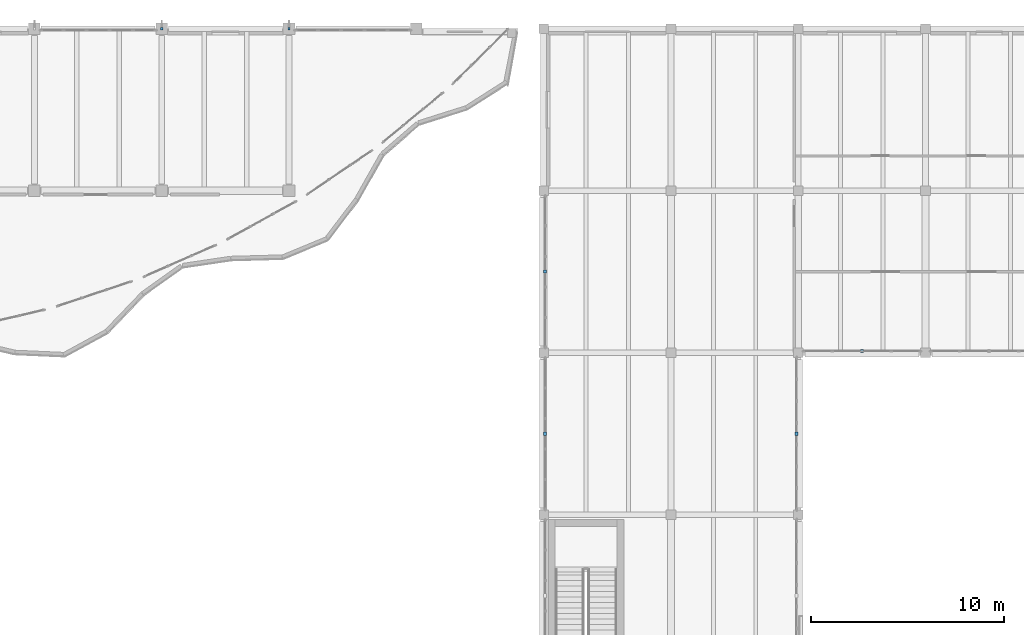
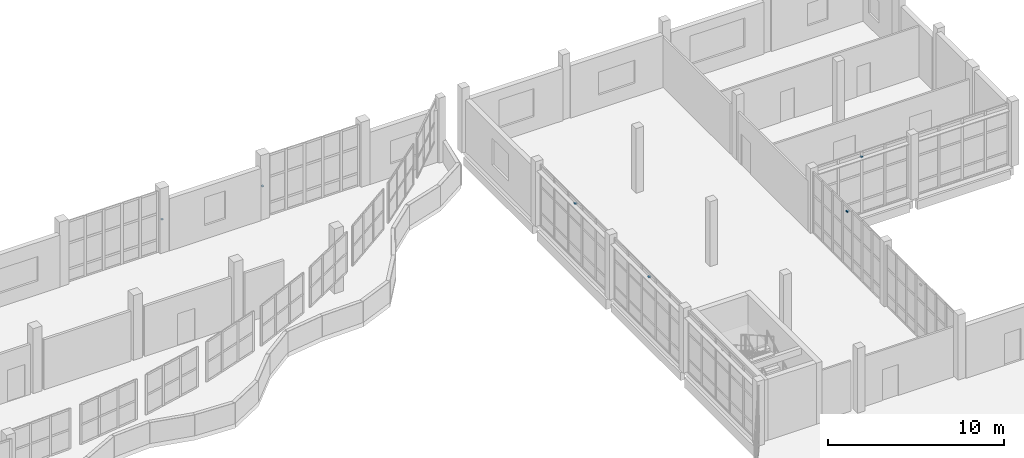
# One storey, part 63 of 76: 6 discrete accessories.
"""IFC4 building model written with IfcOpenShell, lengths in metres."""

import ifcopenshell
import ifcopenshell.guid

model = None  # the IFC model being written
_history = None  # IfcOwnerHistory: only IFC2X3 demands one
_inside = {}  # id of a spatial element -> (the spatial element, [elements in it])
_under = {}  # id of a project, library or spatial element -> (it, [spatial elements below it])
_declared = {}  # id of a project -> (the project, [libraries it declares])
_typed = {}  # id of a type object -> (the type object, [elements of that type])
_made_of = {}  # id of a material, layer set ... -> (it, [elements and type objects made of it])


def new_model(schema):
    """Start an empty IFC model of exactly this schema.

    Asked for "IFC4X3", IfcOpenShell would pick the latest addendum, in which some entities
    have other attributes; the version numbers below select the first issue.
    IFC2X3 requires an IfcOwnerHistory on every rooted entity: one is made here for all.
    """
    global model, _history
    if schema == "IFC4X3":
        model = ifcopenshell.file(schema_version=(4, 3, 0, 0))
    else:
        model = ifcopenshell.file(schema=schema)
    _inside.clear()
    _under.clear()
    _declared.clear()
    _typed.clear()
    _made_of.clear()
    _history = None
    if model.schema == "IFC2X3":
        org = make("IfcOrganization", Name="unknown")
        user = make(
            "IfcPersonAndOrganization",
            ThePerson=make("IfcPerson", FamilyName="unknown"),
            TheOrganization=org,
        )
        app = make(
            "IfcApplication",
            ApplicationDeveloper=org,
            Version="unknown",
            ApplicationFullName="unknown",
            ApplicationIdentifier="unknown",
        )
        _history = make(
            "IfcOwnerHistory",
            OwningUser=user,
            OwningApplication=app,
            ChangeAction="ADDED",
            CreationDate=0,
        )
    return model


def make(cls, **values):
    """One entity of the class cls with the attributes given. An attribute that is None is left unset."""
    return model.create_entity(
        cls, **{name: value for name, value in values.items() if value is not None}
    )


def rooted(cls, **values):
    """An entity with a GlobalId (a new one), such as an element, a storey or a relation."""
    return make(cls, GlobalId=ifcopenshell.guid.new(), OwnerHistory=_history, **values)


def si_unit(unit_type, name, prefix=None):
    """IfcSIUnit, for example si_unit("LENGTHUNIT", "METRE", prefix="MILLI")."""
    return make("IfcSIUnit", UnitType=unit_type, Prefix=prefix, Name=name)


def assignment(units):
    """IfcUnitAssignment: the units of a project."""
    return None if units is None else make("IfcUnitAssignment", Units=units)


def point(xyz):
    """IfcCartesianPoint."""
    return None if xyz is None else make("IfcCartesianPoint", Coordinates=xyz)


def direction(xyz):
    """IfcDirection."""
    return None if xyz is None else make("IfcDirection", DirectionRatios=xyz)


def frame(location, z_axis=None, x_axis=None):
    """IfcAxis2Placement3D, a coordinate frame: its origin and axes. An axis left out is left unset."""
    return make(
        "IfcAxis2Placement3D",
        Location=point(location),
        Axis=direction(z_axis),
        RefDirection=direction(x_axis),
    )


def frame_2d(location, x_axis=None):
    """IfcAxis2Placement2D, a coordinate frame in the plane: its origin and x axis."""
    return make(
        "IfcAxis2Placement2D", Location=point(location), RefDirection=direction(x_axis)
    )


def origin():
    """The frame at (0, 0, 0) with its axes left unset."""
    return frame((0.0, 0.0, 0.0))


def origin_2d():
    """The frame at (0, 0) in the plane with its x axis left unset."""
    return frame_2d((0.0, 0.0))


def place(relative_to, where):
    """IfcLocalPlacement: puts the frame where relative to a parent placement (None: the world)."""
    return make(
        "IfcLocalPlacement", PlacementRelTo=relative_to, RelativePlacement=where
    )


def context(
    kind, dimensions, precision=None, world=None, true_north=None, identifier=None
):
    """IfcGeometricRepresentationContext, for example the 3D "Model" context."""
    return make(
        "IfcGeometricRepresentationContext",
        ContextIdentifier=identifier,
        ContextType=kind,
        CoordinateSpaceDimension=dimensions,
        Precision=precision,
        WorldCoordinateSystem=world,
        TrueNorth=true_north,
    )


def subcontext(parent, identifier, kind, view, scale=None):
    """IfcGeometricRepresentationSubContext, for example "Body" below "Model"."""
    return make(
        "IfcGeometricRepresentationSubContext",
        ContextIdentifier=identifier,
        ContextType=kind,
        ParentContext=parent,
        TargetScale=scale,
        TargetView=view,
    )


def project(units=None, contexts=None):
    """IfcProject with its units and contexts."""
    return rooted(
        "IfcProject",
        Name="project",
        RepresentationContexts=contexts,
        UnitsInContext=assignment(units),
    )


def spatial(cls, under=None, at=None, **own):
    """A site, building, storey or space (cls), placed at a placement, below another one or the project."""
    s = rooted(cls, ObjectPlacement=at, **own)
    if under is not None:
        _under.setdefault(under.id(), (under, []))[1].append(s)
    return s


def profile(cls, at=None, kind="AREA", **sizes):
    """A parametric profile (cls). Its sizes go by their IFC names, for example OverallWidth=200.0."""
    return make(cls, ProfileType=kind, Position=at, **sizes)


def rectangle(**sizes):
    """IfcRectangleProfileDef."""
    return profile("IfcRectangleProfileDef", **sizes)


def extrude(swept, where, along, depth):
    """IfcExtrudedAreaSolid: the profile swept, set in the frame where, extruded along a direction by depth."""
    return make(
        "IfcExtrudedAreaSolid",
        SweptArea=swept,
        Position=where,
        ExtrudedDirection=direction(along),
        Depth=depth,
    )


def shape(context_of_items, identifier, shape_type, items):
    """IfcShapeRepresentation: the items that make up one representation, for example the "Body"."""
    return make(
        "IfcShapeRepresentation",
        ContextOfItems=context_of_items,
        RepresentationIdentifier=identifier,
        RepresentationType=shape_type,
        Items=items,
    )


def material(Name=None, Category=None):
    """IfcMaterial."""
    return make("IfcMaterial", Name=Name, Category=Category)


def layer(
    of_material, thickness, ventilated=None, Name=None, Category=None, Priority=None
):
    """IfcMaterialLayer: one layer of a wall or slab, of a material (None: an air gap)."""
    return make(
        "IfcMaterialLayer",
        Material=of_material,
        LayerThickness=thickness,
        IsVentilated=ventilated,
        Name=Name,
        Category=Category,
        Priority=Priority,
    )


def layer_set(layers, Name=None):
    """IfcMaterialLayerSet."""
    return make("IfcMaterialLayerSet", MaterialLayers=layers, LayerSetName=Name)


def made_of(thing, what):
    """Note that an element or type object is made of a material, layer set ...; save() writes the relation."""
    if what is not None:
        _made_of.setdefault(what.id(), (what, []))[1].append(thing)
    return thing


def type_object(cls, material=None, **own):
    """A type object (cls), such as IfcWallType, which elements share."""
    return made_of(rooted(cls, **own), material)


def element(
    cls,
    number,
    at=None,
    inside=None,
    cuts=None,
    type_object=None,
    material=None,
    context=None,
    identifier="Body",
    shape_type=None,
    held_by="IfcProductDefinitionShape",
    body=None,
    shapes=None,
    **own,
):
    """One element of the class cls, such as IfcWall. Its Tag is "e" and its number.

    at: its placement. inside: the storey or other place that contains it. cuts: it is an
    opening in that element (IfcRelVoidsElement). A single representation is given by context,
    identifier, shape_type and body (its items); several are given by shapes. held_by: the class
    of the entity that holds the representations. save() writes the other relations.
    """
    e = rooted(cls, Tag="e%d" % number, ObjectPlacement=at, **own)
    if body is not None:
        shapes = [shape(context, identifier, shape_type, body)]
    if shapes is not None:
        e.Representation = make(held_by, Representations=shapes)
    if inside is not None:
        _inside.setdefault(inside.id(), (inside, []))[1].append(e)
    if cuts is not None:
        rooted(
            "IfcRelVoidsElement", RelatingBuildingElement=cuts, RelatedOpeningElement=e
        )
    if type_object is not None:
        _typed.setdefault(type_object.id(), (type_object, []))[1].append(e)
    return made_of(e, material)


def aggregate(whole, parts):
    """IfcRelAggregates: a whole, such as a stair, and the parts it consists of."""
    return rooted("IfcRelAggregates", RelatingObject=whole, RelatedObjects=parts)


def save(model, path):
    """Write the relations noted so far, then the file.

    IfcRelAggregates (storeys below a building ...), IfcRelContainedInSpatialStructure (elements
    in a storey), IfcRelDefinesByType, IfcRelAssociatesMaterial and IfcRelDeclares: one each for
    every whole, place, type object, material and project.
    """
    for whole, parts in _under.values():
        aggregate(whole, parts)
    for where, things in _inside.values():
        rooted(
            "IfcRelContainedInSpatialStructure",
            RelatedElements=things,
            RelatingStructure=where,
        )
    for kind, things in _typed.values():
        rooted("IfcRelDefinesByType", RelatedObjects=things, RelatingType=kind)
    for what, things in _made_of.values():
        rooted("IfcRelAssociatesMaterial", RelatedObjects=things, RelatingMaterial=what)
    for by, libraries in _declared.values():
        rooted("IfcRelDeclares", RelatingContext=by, RelatedDefinitions=libraries)
    model.write(path)


model = new_model("IFC4")

# Units and contexts
model_context = context("Model", 3, precision=1e-05, world=origin(), true_north=direction((0.0, 1.0)))
body_context = subcontext(model_context, "Body", "Model", "MODEL_VIEW")
ifc_project = project(units=[si_unit("LENGTHUNIT", "METRE"), si_unit("AREAUNIT", "SQUARE_METRE"), si_unit("VOLUMEUNIT", "CUBIC_METRE"), si_unit("PLANEANGLEUNIT", "RADIAN"), si_unit("MASSUNIT", "GRAM", prefix="KILO")], contexts=[model_context])

# Site, building, storey
site_placement = place(None, origin())
site = spatial("IfcSite", under=ifc_project, at=site_placement, CompositionType="ELEMENT")
building_placement = place(site_placement, origin())
building = spatial("IfcBuilding", under=site, at=building_placement, Name="Qaldarim Faculty of Natural and Applied Sciences", CompositionType="ELEMENT")
storey_placement = place(building_placement, frame((0.0, 0.0, 9.89990234375)))
storey = spatial("IfcBuildingStorey", under=building, at=storey_placement, Name="L02", CompositionType="ELEMENT", Elevation=9.89990234375)

# Discrete accessories
ifc_material = material(Name="Architectural stainless steel 316", Category="steel")
ifc_layer = layer(ifc_material, 0.080078125)
ifc_layer_set = layer_set([ifc_layer], Name="Architectural stainless steel 316")
discrete_accessory_type = type_object("IfcDiscreteAccessoryType", Name="FacadeBracket-SS120", PredefinedType="BRACKET", material=ifc_layer_set)
for number, where, z_axis, x_axis, name in (
    (1, (151.8798828125, 96.60009765625, 3.85009765625), (0.0, 0.0, 1.0), (0.0, 1.0, 0.0), "Solar louvre support bracket SHD-L02-W-X24Y12"),
    (2, (151.8798828125, 105.0, 3.85009765625), (0.0, 0.0, 1.0), (0.0, 1.0, 0.0), "Solar louvre support bracket SHD-L02-W-X24Y13"),
    (3, (164.919921875, 96.60009765625, 3.85009765625), (0.0, 0.0, 1.0), (0.0, 1.0, 0.0), "Solar louvre support bracket SHD-L02-E-X25Y12"),
    (4, (168.300048828125, 100.8798828125, 3.85009765625), (0.0, 0.0, 1.0), (1.0, 0.0, 0.0), "Solar louvre support bracket SHD-L02-S-X26Y13"),
):
    element("IfcDiscreteAccessory", number, at=place(storey_placement, frame(where, z_axis=z_axis, x_axis=x_axis)), inside=storey, type_object=discrete_accessory_type, Name=name, PredefinedType="BRACKET", context=body_context, shape_type="SweptSolid", body=[
        extrude(rectangle(XDim=0.159912109375, YDim=0.159912109375, at=origin_2d()), origin(), (0.0, 0.0, 1.0), 0.080078125),
    ])
for number, where, z_axis, x_axis, name in (
    (5, (132.0, 117.60009765625, 2.080078125), (0.0, 0.0, 1.0), (1.0, 0.0, 0.0), "North fin bracket FIN-V4N-L02-X21"),
    (6, (138.60009765625, 117.60009765625, 2.080078125), (0.0, 0.0, 1.0), (1.0, 0.0, 0.0), "North fin bracket FIN-V4N-L02-X22"),
):
    element("IfcDiscreteAccessory", number, at=place(storey_placement, frame(where, z_axis=z_axis, x_axis=x_axis)), inside=storey, type_object=discrete_accessory_type, Name=name, PredefinedType="BRACKET", context=body_context, shape_type="SweptSolid", body=[
        extrude(rectangle(XDim=0.1201171875, YDim=0.1201171875, at=origin_2d()), origin(), (0.0, 0.0, 1.0), 0.080078125),
    ])

save(model, "model.ifc")
